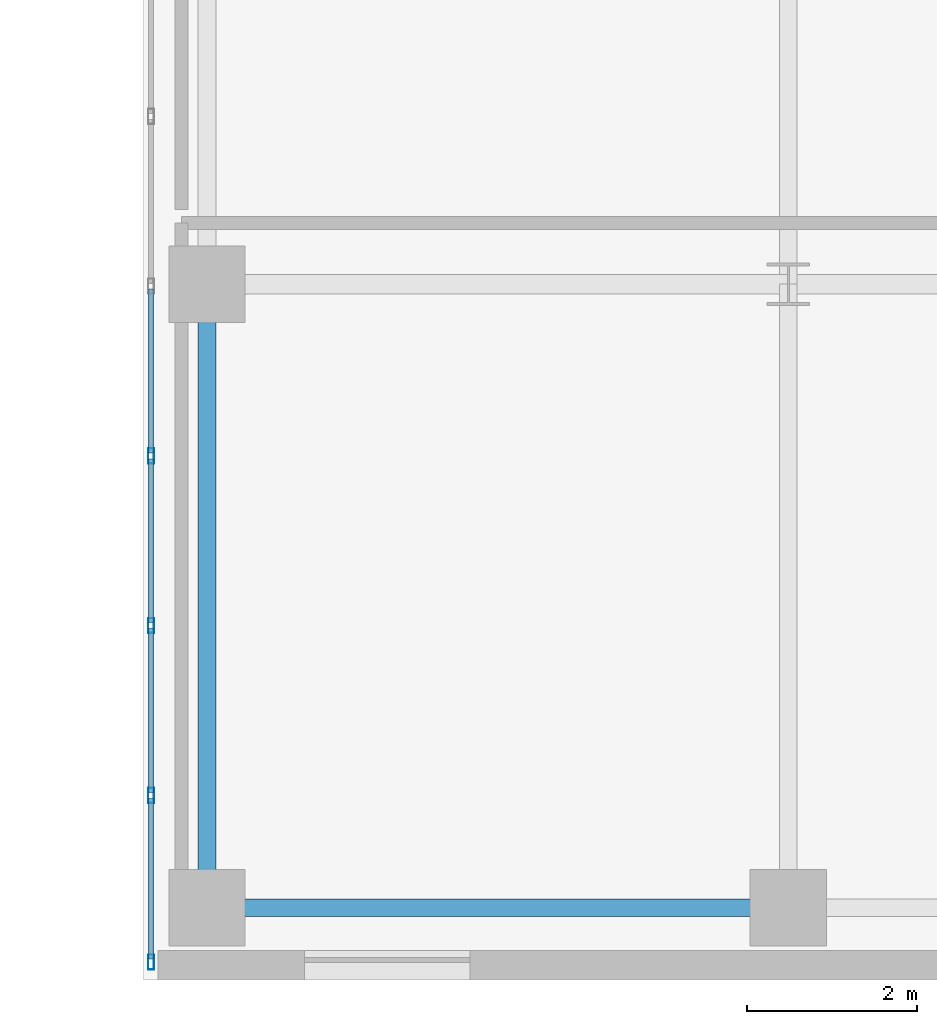
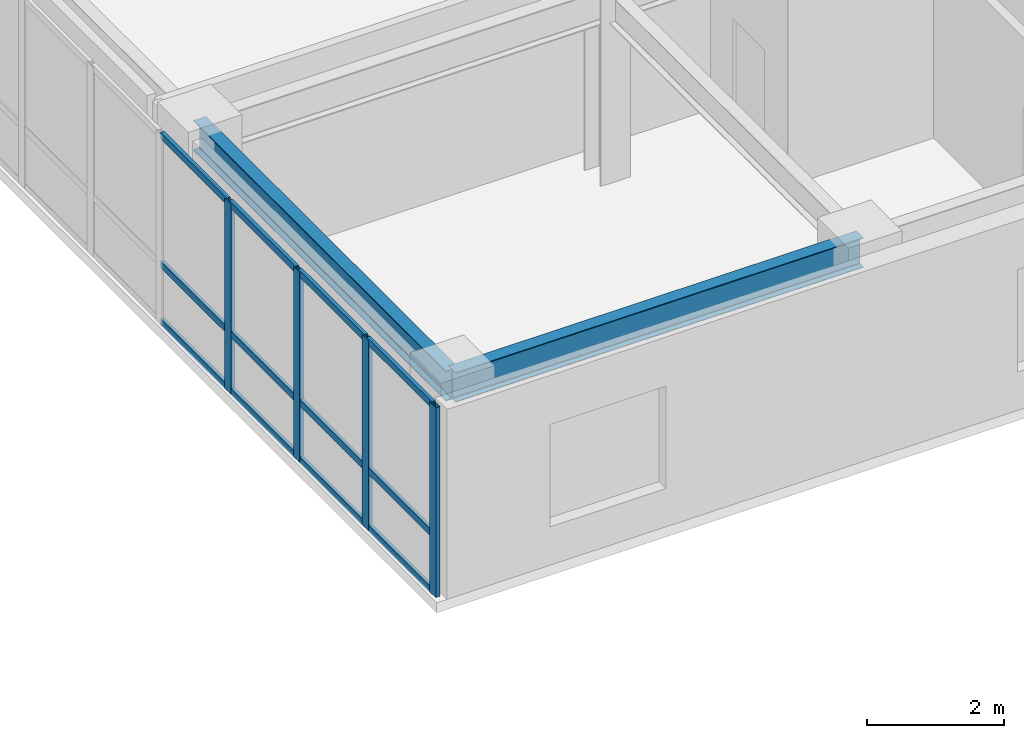
# One storey, part 13 of 30: 16 members, 2 beams, 1 element without a shape of its own.
"""IFC4 building model written with IfcOpenShell, lengths in metres."""

from ifc_helpers import new_model, si_unit, direction, frame, origin, origin_2d, place, context, subcontext, project, spatial, hollow_rectangle, i_section, extrude, source, transform, mapped, material, layer, layer_set, material_profile, profile_set, type_object, type_shapes, element, aggregate, save


model = new_model("IFC4")

# Units and contexts
model_context = context("Model", 3, precision=1e-05, world=origin(), true_north=direction((0.0, 1.0)))
body_context = subcontext(model_context, "Body", "Model", "MODEL_VIEW")
ifc_project = project(units=[si_unit("LENGTHUNIT", "METRE"), si_unit("AREAUNIT", "SQUARE_METRE"), si_unit("VOLUMEUNIT", "CUBIC_METRE"), si_unit("PLANEANGLEUNIT", "RADIAN"), si_unit("MASSUNIT", "GRAM", prefix="KILO")], contexts=[model_context])

# Site, building, storey
site_placement = place(None, origin())
site = spatial("IfcSite", under=ifc_project, at=site_placement, CompositionType="ELEMENT")
building_placement = place(site_placement, origin())
building = spatial("IfcBuilding", under=site, at=building_placement, Name="Tolvann Quenvar Hotel", CompositionType="ELEMENT")
storey_placement = place(building_placement, frame((0.0, 0.0, 100.89990234375)))
storey = spatial("IfcBuildingStorey", under=building, at=storey_placement, Name="L25", CompositionType="ELEMENT", Elevation=100.89990234375)

# Beams
ifc_material_1 = material(Name="Steel Grade 350", Category="steel")
ifc_material_profile_1 = material_profile(ifc_material_1, i_section(OverallWidth=0.208984375, OverallDepth=0.528076171875, WebThickness=0.009521484375, FlangeThickness=0.01318359375, FilletRadius=0.013916015625, at=origin_2d()), Name="530UB82")
ifc_profile_set_1 = profile_set([ifc_material_profile_1], Name="Steel Grade 350")
beam_type_1 = type_object("IfcBeamType", Name="BM_SPAND_530UB82", PredefinedType="SPANDREL", material=ifc_profile_set_1)
shared_shape_1 = source(origin(), body_context, "Body", "SweptSolid", [
    extrude(i_section(OverallWidth=0.208984375, OverallDepth=0.528076171875, WebThickness=0.009521484375, FlangeThickness=0.01318359375, FilletRadius=0.013916015625, at=origin_2d()), origin(), (0.0, 0.0, 1.0), 6.85009765625),
])
type_shapes(beam_type_1, [shared_shape_1])
beam_1_placement = place(storey_placement, frame((34.949951171875, 0.85009765625, 3.106201171875), z_axis=(1.0, 0.0, 0.0), x_axis=(0.0, 1.0, 0.0)))
element("IfcBeam", 1, at=beam_1_placement, inside=storey, type_object=beam_type_1, Name="BM-L25-EW-2-F2-H2", PredefinedType="SPANDREL", context=body_context, shape_type="MappedRepresentation", body=[
    mapped(shared_shape_1, transform((0.0, 0.0, 0.0), x_axis=(1.0, 0.0, 0.0), y_axis=(0.0, 1.0, 0.0), z_axis=(0.0, 0.0, 1.0), scale=1.0)),
])
ifc_material_profile_2 = material_profile(ifc_material_1, i_section(OverallWidth=0.208984375, OverallDepth=0.532958984375, WebThickness=0.01025390625, FlangeThickness=0.015625, FilletRadius=0.013916015625, at=origin_2d()), Name="530UB92")
ifc_profile_set_2 = profile_set([ifc_material_profile_2], Name="Steel Grade 350")
beam_type_2 = type_object("IfcBeamType", Name="BM_GIRD_530UB92", PredefinedType="BEAM", material=ifc_profile_set_2)
shared_shape_2 = source(origin(), body_context, "Body", "SweptSolid", [
    extrude(i_section(OverallWidth=0.208984375, OverallDepth=0.532958984375, WebThickness=0.01025390625, FlangeThickness=0.015625, FilletRadius=0.013916015625, at=origin_2d()), origin(), (0.0, 0.0, 1.0), 7.349853515625),
])
type_shapes(beam_type_2, [shared_shape_2])
beam_2_placement = place(storey_placement, frame((34.949951171875, 0.85009765625, 3.103515625), z_axis=(0.0, 1.0, 0.0), x_axis=(-1.0, 0.0, 0.0)))
element("IfcBeam", 2, at=beam_2_placement, inside=storey, type_object=beam_type_2, Name="BM-L25-NS-F2-F3", PredefinedType="BEAM", context=body_context, shape_type="MappedRepresentation", body=[
    mapped(shared_shape_2, transform((0.0, 0.0, 0.0), x_axis=(1.0, 0.0, 0.0), y_axis=(0.0, 1.0, 0.0), z_axis=(0.0, 0.0, 1.0), scale=1.0)),
])

# Curtain wall, members
ifc_material_2 = material(Name="Thermally broken anodised architectural aluminium 6063-T6 and laminated low-E glass", Category="aluminium")
ifc_layer = layer(ifc_material_2, 0.179931640625)
ifc_layer_set = layer_set([ifc_layer], Name="Thermally broken anodised architectural aluminium 6063-T6 and laminated low-E glass")
curtain_wall_type = type_object("IfcCurtainWallType", Name="CW_SYS_SLOT_03", PredefinedType="USERDEFINED", material=ifc_layer_set)
curtain_wall_placement = place(storey_placement, origin())
curtain_wall = element("IfcCurtainWall", 3, at=curtain_wall_placement, inside=storey, type_object=curtain_wall_type, Name="Curtain Wall CW-SLOT-03 (CWR-L25-E07)", ObjectType="UNITISED CURTAIN WALL", PredefinedType="USERDEFINED")
ifc_material_3 = material(Name="Anodised architectural aluminium 6063-T6 framing", Category="aluminium")
ifc_material_profile_3 = material_profile(ifc_material_3, hollow_rectangle(XDim=0.070068359375, YDim=0.179931640625, WallThickness=0.00390625, at=origin_2d()), Name="180x70x4RHS")
ifc_profile_set_3 = profile_set([ifc_material_profile_3], Name="Anodised architectural aluminium 6063-T6 framing")
member_type_1 = type_object("IfcMemberType", Name="CW_MULL_180x70", PredefinedType="MULLION", material=ifc_profile_set_3)
shared_shape_3 = source(origin(), body_context, "Body", "SweptSolid", [
    extrude(hollow_rectangle(XDim=0.070068359375, YDim=0.179931640625, WallThickness=0.00390625, at=origin_2d()), origin(), (0.0, 0.0, 1.0), 3.3701171875),
])
type_shapes(member_type_1, [shared_shape_3])
member_1_placement = place(storey_placement, frame((34.2900390625, 6.175048828125, 0.0), z_axis=(0.0, 0.0, 1.0), x_axis=(1.0, 0.0, 0.0)))
member_1 = element("IfcMember", 4, at=member_1_placement, type_object=member_type_1, Name="CW-SLOT-03 mullion 6", PredefinedType="MULLION", context=body_context, shape_type="MappedRepresentation", body=[
    mapped(shared_shape_3, transform((0.0, 0.0, 0.0), x_axis=(1.0, 0.0, 0.0), y_axis=(0.0, 1.0, 0.0), z_axis=(0.0, 0.0, 1.0), scale=1.0)),
])
member_2_placement = place(storey_placement, frame((34.2900390625, 4.175048828125, 0.0), z_axis=(0.0, 0.0, 1.0), x_axis=(1.0, 0.0, 0.0)))
member_2 = element("IfcMember", 5, at=member_2_placement, type_object=member_type_1, Name="CW-SLOT-03 mullion 7", PredefinedType="MULLION", context=body_context, shape_type="MappedRepresentation", body=[
    mapped(shared_shape_3, transform((0.0, 0.0, 0.0), x_axis=(1.0, 0.0, 0.0), y_axis=(0.0, 1.0, 0.0), z_axis=(0.0, 0.0, 1.0), scale=1.0)),
])
member_3_placement = place(storey_placement, frame((34.2900390625, 2.175048828125, 0.0), z_axis=(0.0, 0.0, 1.0), x_axis=(1.0, 0.0, 0.0)))
member_3 = element("IfcMember", 6, at=member_3_placement, type_object=member_type_1, Name="CW-SLOT-03 mullion 8", PredefinedType="MULLION", context=body_context, shape_type="MappedRepresentation", body=[
    mapped(shared_shape_3, transform((0.0, 0.0, 0.0), x_axis=(1.0, 0.0, 0.0), y_axis=(0.0, 1.0, 0.0), z_axis=(0.0, 0.0, 1.0), scale=1.0)),
])
member_4_placement = place(storey_placement, frame((34.2900390625, 0.2099609375, 0.0), z_axis=(0.0, 0.0, 1.0), x_axis=(1.0, 0.0, 0.0)))
member_4 = element("IfcMember", 7, at=member_4_placement, type_object=member_type_1, Name="CW-SLOT-03 mullion 9", PredefinedType="MULLION", context=body_context, shape_type="MappedRepresentation", body=[
    mapped(shared_shape_3, transform((0.0, 0.0, 0.0), x_axis=(1.0, 0.0, 0.0), y_axis=(0.0, 1.0, 0.0), z_axis=(0.0, 0.0, 1.0), scale=1.0)),
])
ifc_material_profile_4 = material_profile(ifc_material_3, hollow_rectangle(XDim=0.06005859375, YDim=0.1201171875, WallThickness=0.00341796875, at=origin_2d()), Name="120x60x3.5RHS")
ifc_profile_set_4 = profile_set([ifc_material_profile_4], Name="Anodised architectural aluminium 6063-T6 framing")
member_type_2 = type_object("IfcMemberType", Name="CW_TRAN_120x60", PredefinedType="USERDEFINED", material=ifc_profile_set_4)
shared_shape_4 = source(origin(), body_context, "Body", "SweptSolid", [
    extrude(hollow_rectangle(XDim=0.06005859375, YDim=0.1201171875, WallThickness=0.00341796875, at=origin_2d()), origin(), (0.0, 0.0, 1.0), 1.894775390625),
])
member_5_placement = place(storey_placement, frame((34.2900390625, 2.139892578125, 0.030029296875), z_axis=(0.0, -1.0, 0.0), x_axis=(1.0, 0.0, 0.0)))
member_5 = element("IfcMember", 8, at=member_5_placement, type_object=member_type_2, Name="CW-SLOT-03 transom 8.1", ObjectType="TRANSOM", PredefinedType="USERDEFINED", context=body_context, shape_type="MappedRepresentation", body=[
    mapped(shared_shape_4, transform((0.0, 0.0, 0.0), x_axis=(1.0, 0.0, 0.0), y_axis=(0.0, 1.0, 0.0), z_axis=(0.0, 0.0, 1.0), scale=1.0)),
])
member_6_placement = place(storey_placement, frame((34.2900390625, 2.139892578125, 1.050048828125), z_axis=(0.0, -1.0, 0.0), x_axis=(1.0, 0.0, 0.0)))
member_6 = element("IfcMember", 9, at=member_6_placement, type_object=member_type_2, Name="CW-SLOT-03 transom 8.2", ObjectType="TRANSOM", PredefinedType="USERDEFINED", context=body_context, shape_type="MappedRepresentation", body=[
    mapped(shared_shape_4, transform((0.0, 0.0, 0.0), x_axis=(1.0, 0.0, 0.0), y_axis=(0.0, 1.0, 0.0), z_axis=(0.0, 0.0, 1.0), scale=1.0)),
])
member_7_placement = place(storey_placement, frame((34.2900390625, 2.139892578125, 3.340087890625), z_axis=(0.0, -1.0, 0.0), x_axis=(1.0, 0.0, 0.0)))
member_7 = element("IfcMember", 10, at=member_7_placement, type_object=member_type_2, Name="CW-SLOT-03 transom 8.3", ObjectType="TRANSOM", PredefinedType="USERDEFINED", context=body_context, shape_type="MappedRepresentation", body=[
    mapped(shared_shape_4, transform((0.0, 0.0, 0.0), x_axis=(1.0, 0.0, 0.0), y_axis=(0.0, 1.0, 0.0), z_axis=(0.0, 0.0, 1.0), scale=1.0)),
])
shared_shape_5 = source(origin(), body_context, "Body", "SweptSolid", [
    extrude(hollow_rectangle(XDim=0.06005859375, YDim=0.1201171875, WallThickness=0.00341796875, at=origin_2d()), origin(), (0.0, 0.0, 1.0), 1.929931640625),
])
type_shapes(member_type_2, [shared_shape_4, shared_shape_5])
member_8_placement = place(storey_placement, frame((34.2900390625, 8.139892578125, 0.030029296875), z_axis=(0.0, -1.0, 0.0), x_axis=(1.0, 0.0, 0.0)))
member_8 = element("IfcMember", 11, at=member_8_placement, type_object=member_type_2, Name="CW-SLOT-03 transom 5.1", ObjectType="TRANSOM", PredefinedType="USERDEFINED", context=body_context, shape_type="MappedRepresentation", body=[
    mapped(shared_shape_5, transform((0.0, 0.0, 0.0), x_axis=(1.0, 0.0, 0.0), y_axis=(0.0, 1.0, 0.0), z_axis=(0.0, 0.0, 1.0), scale=1.0)),
])
member_9_placement = place(storey_placement, frame((34.2900390625, 8.139892578125, 1.050048828125), z_axis=(0.0, -1.0, 0.0), x_axis=(1.0, 0.0, 0.0)))
member_9 = element("IfcMember", 12, at=member_9_placement, type_object=member_type_2, Name="CW-SLOT-03 transom 5.2", ObjectType="TRANSOM", PredefinedType="USERDEFINED", context=body_context, shape_type="MappedRepresentation", body=[
    mapped(shared_shape_5, transform((0.0, 0.0, 0.0), x_axis=(1.0, 0.0, 0.0), y_axis=(0.0, 1.0, 0.0), z_axis=(0.0, 0.0, 1.0), scale=1.0)),
])
member_10_placement = place(storey_placement, frame((34.2900390625, 8.139892578125, 3.340087890625), z_axis=(0.0, -1.0, 0.0), x_axis=(1.0, 0.0, 0.0)))
member_10 = element("IfcMember", 13, at=member_10_placement, type_object=member_type_2, Name="CW-SLOT-03 transom 5.3", ObjectType="TRANSOM", PredefinedType="USERDEFINED", context=body_context, shape_type="MappedRepresentation", body=[
    mapped(shared_shape_5, transform((0.0, 0.0, 0.0), x_axis=(1.0, 0.0, 0.0), y_axis=(0.0, 1.0, 0.0), z_axis=(0.0, 0.0, 1.0), scale=1.0)),
])
member_11_placement = place(storey_placement, frame((34.2900390625, 6.139892578125, 0.030029296875), z_axis=(0.0, -1.0, 0.0), x_axis=(1.0, 0.0, 0.0)))
member_11 = element("IfcMember", 14, at=member_11_placement, type_object=member_type_2, Name="CW-SLOT-03 transom 6.1", ObjectType="TRANSOM", PredefinedType="USERDEFINED", context=body_context, shape_type="MappedRepresentation", body=[
    mapped(shared_shape_5, transform((0.0, 0.0, 0.0), x_axis=(1.0, 0.0, 0.0), y_axis=(0.0, 1.0, 0.0), z_axis=(0.0, 0.0, 1.0), scale=1.0)),
])
member_12_placement = place(storey_placement, frame((34.2900390625, 6.139892578125, 1.050048828125), z_axis=(0.0, -1.0, 0.0), x_axis=(1.0, 0.0, 0.0)))
member_12 = element("IfcMember", 15, at=member_12_placement, type_object=member_type_2, Name="CW-SLOT-03 transom 6.2", ObjectType="TRANSOM", PredefinedType="USERDEFINED", context=body_context, shape_type="MappedRepresentation", body=[
    mapped(shared_shape_5, transform((0.0, 0.0, 0.0), x_axis=(1.0, 0.0, 0.0), y_axis=(0.0, 1.0, 0.0), z_axis=(0.0, 0.0, 1.0), scale=1.0)),
])
member_13_placement = place(storey_placement, frame((34.2900390625, 6.139892578125, 3.340087890625), z_axis=(0.0, -1.0, 0.0), x_axis=(1.0, 0.0, 0.0)))
member_13 = element("IfcMember", 16, at=member_13_placement, type_object=member_type_2, Name="CW-SLOT-03 transom 6.3", ObjectType="TRANSOM", PredefinedType="USERDEFINED", context=body_context, shape_type="MappedRepresentation", body=[
    mapped(shared_shape_5, transform((0.0, 0.0, 0.0), x_axis=(1.0, 0.0, 0.0), y_axis=(0.0, 1.0, 0.0), z_axis=(0.0, 0.0, 1.0), scale=1.0)),
])
member_14_placement = place(storey_placement, frame((34.2900390625, 4.139892578125, 0.030029296875), z_axis=(0.0, -1.0, 0.0), x_axis=(1.0, 0.0, 0.0)))
member_14 = element("IfcMember", 17, at=member_14_placement, type_object=member_type_2, Name="CW-SLOT-03 transom 7.1", ObjectType="TRANSOM", PredefinedType="USERDEFINED", context=body_context, shape_type="MappedRepresentation", body=[
    mapped(shared_shape_5, transform((0.0, 0.0, 0.0), x_axis=(1.0, 0.0, 0.0), y_axis=(0.0, 1.0, 0.0), z_axis=(0.0, 0.0, 1.0), scale=1.0)),
])
member_15_placement = place(storey_placement, frame((34.2900390625, 4.139892578125, 1.050048828125), z_axis=(0.0, -1.0, 0.0), x_axis=(1.0, 0.0, 0.0)))
member_15 = element("IfcMember", 18, at=member_15_placement, type_object=member_type_2, Name="CW-SLOT-03 transom 7.2", ObjectType="TRANSOM", PredefinedType="USERDEFINED", context=body_context, shape_type="MappedRepresentation", body=[
    mapped(shared_shape_5, transform((0.0, 0.0, 0.0), x_axis=(1.0, 0.0, 0.0), y_axis=(0.0, 1.0, 0.0), z_axis=(0.0, 0.0, 1.0), scale=1.0)),
])
member_16_placement = place(storey_placement, frame((34.2900390625, 4.139892578125, 3.340087890625), z_axis=(0.0, -1.0, 0.0), x_axis=(1.0, 0.0, 0.0)))
member_16 = element("IfcMember", 19, at=member_16_placement, type_object=member_type_2, Name="CW-SLOT-03 transom 7.3", ObjectType="TRANSOM", PredefinedType="USERDEFINED", context=body_context, shape_type="MappedRepresentation", body=[
    mapped(shared_shape_5, transform((0.0, 0.0, 0.0), x_axis=(1.0, 0.0, 0.0), y_axis=(0.0, 1.0, 0.0), z_axis=(0.0, 0.0, 1.0), scale=1.0)),
])
aggregate(curtain_wall, [member_1, member_2, member_3, member_4, member_8, member_9, member_10, member_11, member_12, member_13, member_14, member_15, member_16, member_5, member_6, member_7])

save(model, "model.ifc")
